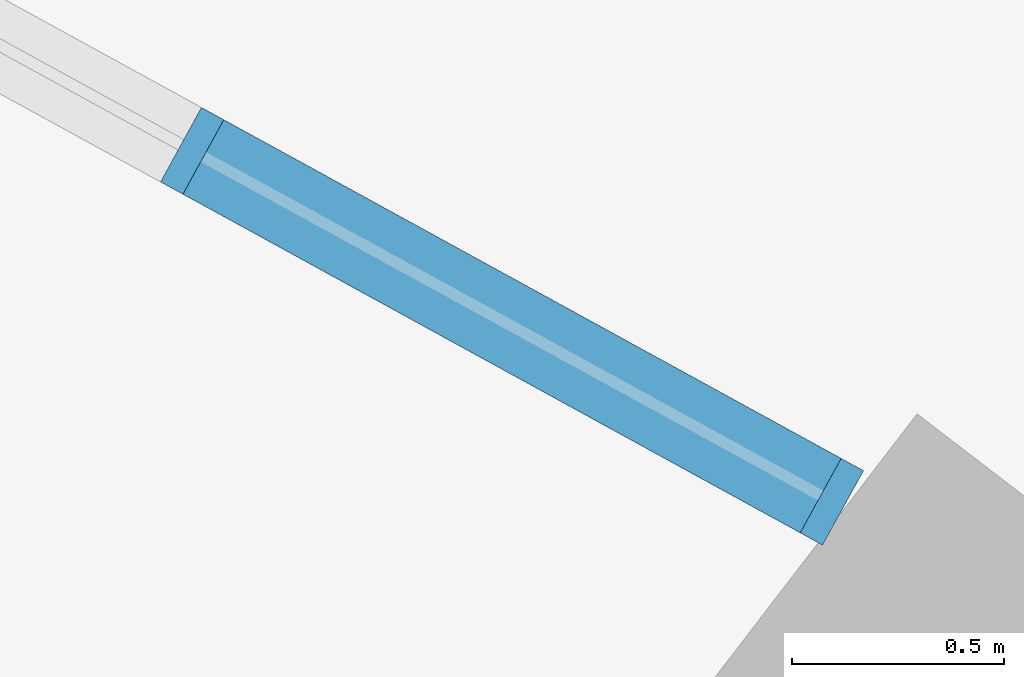
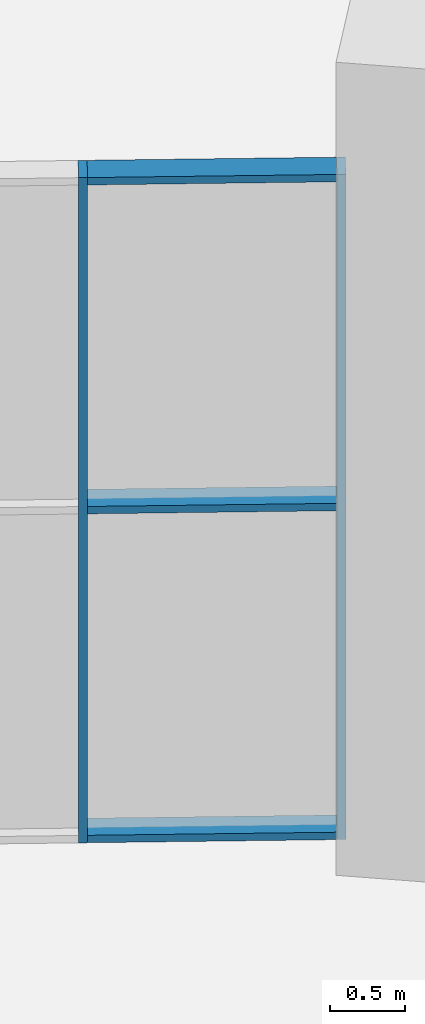
# One storey, part 17 of 44: 5 members, 1 element without a shape of its own.
"""IFC4 building model written with IfcOpenShell, lengths in metres."""

import ifcopenshell
import ifcopenshell.guid

model = None  # the IFC model being written
_history = None  # IfcOwnerHistory: only IFC2X3 demands one
_inside = {}  # id of a spatial element -> (the spatial element, [elements in it])
_under = {}  # id of a project, library or spatial element -> (it, [spatial elements below it])
_declared = {}  # id of a project -> (the project, [libraries it declares])
_typed = {}  # id of a type object -> (the type object, [elements of that type])
_made_of = {}  # id of a material, layer set ... -> (it, [elements and type objects made of it])


def new_model(schema):
    """Start an empty IFC model of exactly this schema.

    Asked for "IFC4X3", IfcOpenShell would pick the latest addendum, in which some entities
    have other attributes; the version numbers below select the first issue.
    IFC2X3 requires an IfcOwnerHistory on every rooted entity: one is made here for all.
    """
    global model, _history
    if schema == "IFC4X3":
        model = ifcopenshell.file(schema_version=(4, 3, 0, 0))
    else:
        model = ifcopenshell.file(schema=schema)
    _inside.clear()
    _under.clear()
    _declared.clear()
    _typed.clear()
    _made_of.clear()
    _history = None
    if model.schema == "IFC2X3":
        org = make("IfcOrganization", Name="unknown")
        user = make(
            "IfcPersonAndOrganization",
            ThePerson=make("IfcPerson", FamilyName="unknown"),
            TheOrganization=org,
        )
        app = make(
            "IfcApplication",
            ApplicationDeveloper=org,
            Version="unknown",
            ApplicationFullName="unknown",
            ApplicationIdentifier="unknown",
        )
        _history = make(
            "IfcOwnerHistory",
            OwningUser=user,
            OwningApplication=app,
            ChangeAction="ADDED",
            CreationDate=0,
        )
    return model


def make(cls, **values):
    """One entity of the class cls with the attributes given. An attribute that is None is left unset."""
    return model.create_entity(
        cls, **{name: value for name, value in values.items() if value is not None}
    )


def rooted(cls, **values):
    """An entity with a GlobalId (a new one), such as an element, a storey or a relation."""
    return make(cls, GlobalId=ifcopenshell.guid.new(), OwnerHistory=_history, **values)


def si_unit(unit_type, name, prefix=None):
    """IfcSIUnit, for example si_unit("LENGTHUNIT", "METRE", prefix="MILLI")."""
    return make("IfcSIUnit", UnitType=unit_type, Prefix=prefix, Name=name)


def assignment(units):
    """IfcUnitAssignment: the units of a project."""
    return None if units is None else make("IfcUnitAssignment", Units=units)


def point(xyz):
    """IfcCartesianPoint."""
    return None if xyz is None else make("IfcCartesianPoint", Coordinates=xyz)


def direction(xyz):
    """IfcDirection."""
    return None if xyz is None else make("IfcDirection", DirectionRatios=xyz)


def frame(location, z_axis=None, x_axis=None):
    """IfcAxis2Placement3D, a coordinate frame: its origin and axes. An axis left out is left unset."""
    return make(
        "IfcAxis2Placement3D",
        Location=point(location),
        Axis=direction(z_axis),
        RefDirection=direction(x_axis),
    )


def frame_2d(location, x_axis=None):
    """IfcAxis2Placement2D, a coordinate frame in the plane: its origin and x axis."""
    return make(
        "IfcAxis2Placement2D", Location=point(location), RefDirection=direction(x_axis)
    )


def origin():
    """The frame at (0, 0, 0) with its axes left unset."""
    return frame((0.0, 0.0, 0.0))


def origin_2d():
    """The frame at (0, 0) in the plane with its x axis left unset."""
    return frame_2d((0.0, 0.0))


def place(relative_to, where):
    """IfcLocalPlacement: puts the frame where relative to a parent placement (None: the world)."""
    return make(
        "IfcLocalPlacement", PlacementRelTo=relative_to, RelativePlacement=where
    )


def context(
    kind, dimensions, precision=None, world=None, true_north=None, identifier=None
):
    """IfcGeometricRepresentationContext, for example the 3D "Model" context."""
    return make(
        "IfcGeometricRepresentationContext",
        ContextIdentifier=identifier,
        ContextType=kind,
        CoordinateSpaceDimension=dimensions,
        Precision=precision,
        WorldCoordinateSystem=world,
        TrueNorth=true_north,
    )


def subcontext(parent, identifier, kind, view, scale=None):
    """IfcGeometricRepresentationSubContext, for example "Body" below "Model"."""
    return make(
        "IfcGeometricRepresentationSubContext",
        ContextIdentifier=identifier,
        ContextType=kind,
        ParentContext=parent,
        TargetScale=scale,
        TargetView=view,
    )


def project(units=None, contexts=None):
    """IfcProject with its units and contexts."""
    return rooted(
        "IfcProject",
        Name="project",
        RepresentationContexts=contexts,
        UnitsInContext=assignment(units),
    )


def spatial(cls, under=None, at=None, **own):
    """A site, building, storey or space (cls), placed at a placement, below another one or the project."""
    s = rooted(cls, ObjectPlacement=at, **own)
    if under is not None:
        _under.setdefault(under.id(), (under, []))[1].append(s)
    return s


def profile(cls, at=None, kind="AREA", **sizes):
    """A parametric profile (cls). Its sizes go by their IFC names, for example OverallWidth=200.0."""
    return make(cls, ProfileType=kind, Position=at, **sizes)


def rectangle(**sizes):
    """IfcRectangleProfileDef."""
    return profile("IfcRectangleProfileDef", **sizes)


def extrude(swept, where, along, depth):
    """IfcExtrudedAreaSolid: the profile swept, set in the frame where, extruded along a direction by depth."""
    return make(
        "IfcExtrudedAreaSolid",
        SweptArea=swept,
        Position=where,
        ExtrudedDirection=direction(along),
        Depth=depth,
    )


def shape(context_of_items, identifier, shape_type, items):
    """IfcShapeRepresentation: the items that make up one representation, for example the "Body"."""
    return make(
        "IfcShapeRepresentation",
        ContextOfItems=context_of_items,
        RepresentationIdentifier=identifier,
        RepresentationType=shape_type,
        Items=items,
    )


def material(Name=None, Category=None):
    """IfcMaterial."""
    return make("IfcMaterial", Name=Name, Category=Category)


def layer(
    of_material, thickness, ventilated=None, Name=None, Category=None, Priority=None
):
    """IfcMaterialLayer: one layer of a wall or slab, of a material (None: an air gap)."""
    return make(
        "IfcMaterialLayer",
        Material=of_material,
        LayerThickness=thickness,
        IsVentilated=ventilated,
        Name=Name,
        Category=Category,
        Priority=Priority,
    )


def layer_set(layers, Name=None):
    """IfcMaterialLayerSet."""
    return make("IfcMaterialLayerSet", MaterialLayers=layers, LayerSetName=Name)


def material_profile(
    of_material, cross_section, Name=None, Category=None, Priority=None
):
    """IfcMaterialProfile: a cross section and its material."""
    return make(
        "IfcMaterialProfile",
        Name=Name,
        Material=of_material,
        Profile=cross_section,
        Priority=Priority,
        Category=Category,
    )


def profile_set(profiles, Name=None, composite=None):
    """IfcMaterialProfileSet."""
    return make(
        "IfcMaterialProfileSet",
        Name=Name,
        MaterialProfiles=profiles,
        CompositeProfile=composite,
    )


def made_of(thing, what):
    """Note that an element or type object is made of a material, layer set ...; save() writes the relation."""
    if what is not None:
        _made_of.setdefault(what.id(), (what, []))[1].append(thing)
    return thing


def type_object(cls, material=None, **own):
    """A type object (cls), such as IfcWallType, which elements share."""
    return made_of(rooted(cls, **own), material)


def element(
    cls,
    number,
    at=None,
    inside=None,
    cuts=None,
    type_object=None,
    material=None,
    context=None,
    identifier="Body",
    shape_type=None,
    held_by="IfcProductDefinitionShape",
    body=None,
    shapes=None,
    **own,
):
    """One element of the class cls, such as IfcWall. Its Tag is "e" and its number.

    at: its placement. inside: the storey or other place that contains it. cuts: it is an
    opening in that element (IfcRelVoidsElement). A single representation is given by context,
    identifier, shape_type and body (its items); several are given by shapes. held_by: the class
    of the entity that holds the representations. save() writes the other relations.
    """
    e = rooted(cls, Tag="e%d" % number, ObjectPlacement=at, **own)
    if body is not None:
        shapes = [shape(context, identifier, shape_type, body)]
    if shapes is not None:
        e.Representation = make(held_by, Representations=shapes)
    if inside is not None:
        _inside.setdefault(inside.id(), (inside, []))[1].append(e)
    if cuts is not None:
        rooted(
            "IfcRelVoidsElement", RelatingBuildingElement=cuts, RelatedOpeningElement=e
        )
    if type_object is not None:
        _typed.setdefault(type_object.id(), (type_object, []))[1].append(e)
    return made_of(e, material)


def aggregate(whole, parts):
    """IfcRelAggregates: a whole, such as a stair, and the parts it consists of."""
    return rooted("IfcRelAggregates", RelatingObject=whole, RelatedObjects=parts)


def save(model, path):
    """Write the relations noted so far, then the file.

    IfcRelAggregates (storeys below a building ...), IfcRelContainedInSpatialStructure (elements
    in a storey), IfcRelDefinesByType, IfcRelAssociatesMaterial and IfcRelDeclares: one each for
    every whole, place, type object, material and project.
    """
    for whole, parts in _under.values():
        aggregate(whole, parts)
    for where, things in _inside.values():
        rooted(
            "IfcRelContainedInSpatialStructure",
            RelatedElements=things,
            RelatingStructure=where,
        )
    for kind, things in _typed.values():
        rooted("IfcRelDefinesByType", RelatedObjects=things, RelatingType=kind)
    for what, things in _made_of.values():
        rooted("IfcRelAssociatesMaterial", RelatedObjects=things, RelatingMaterial=what)
    for by, libraries in _declared.values():
        rooted("IfcRelDeclares", RelatingContext=by, RelatedDefinitions=libraries)
    model.write(path)


model = new_model("IFC4")

# Units and contexts
model_context = context("Model", 3, precision=1e-05, world=origin(), true_north=direction((0.0, 1.0)))
body_context = subcontext(model_context, "Body", "Model", "MODEL_VIEW")
ifc_project = project(units=[si_unit("LENGTHUNIT", "METRE"), si_unit("AREAUNIT", "SQUARE_METRE"), si_unit("VOLUMEUNIT", "CUBIC_METRE"), si_unit("PLANEANGLEUNIT", "RADIAN"), si_unit("MASSUNIT", "GRAM", prefix="KILO")], contexts=[model_context])

# Site, building, storey
site_placement = place(None, origin())
site = spatial("IfcSite", under=ifc_project, at=site_placement, CompositionType="ELEMENT")
building_placement = place(site_placement, origin())
building = spatial("IfcBuilding", under=site, at=building_placement, Name="Nakaniwa Court", CompositionType="ELEMENT")
storey_placement = place(building_placement, origin())
storey = spatial("IfcBuildingStorey", under=building, at=storey_placement, Name="L00", CompositionType="ELEMENT", Elevation=0.0)

# Curtain wall, members
ifc_material_1 = material(Name="Black anodised aluminium frame with dark low-E laminated double glazing", Category="aluminium")
ifc_layer = layer(ifc_material_1, 0.199951171875)
ifc_layer_set = layer_set([ifc_layer], Name="Black anodised aluminium frame with dark low-E laminated double glazing")
curtain_wall_type = type_object("IfcCurtainWallType", Name="Concourse stick curtain wall", PredefinedType="NOTDEFINED", material=ifc_layer_set)
curtain_wall_placement = place(storey_placement, origin())
curtain_wall = element("IfcCurtainWall", 1, at=curtain_wall_placement, inside=storey, type_object=curtain_wall_type, Name="L00 curtain wall CW2 44", PredefinedType="NOTDEFINED")
ifc_material_2 = material(Name="Black anodised aluminium extrusion", Category="aluminium")
ifc_material_profile_1 = material_profile(ifc_material_2, rectangle(XDim=0.199951171875, YDim=0.06005859375, at=origin_2d()), Name="Concourse stick curtain wall mullion 60x200")
ifc_profile_set_1 = profile_set([ifc_material_profile_1], Name="Black anodised aluminium extrusion")
member_type_1 = type_object("IfcMemberType", Name="Concourse stick curtain wall mullion 60x200", PredefinedType="MULLION", material=ifc_profile_set_1)
member_1_placement = place(storey_placement, frame((99.38623046875, 110.7734375, 0.0), z_axis=(0.0, 0.0, 1.0), x_axis=(-0.480878713587, -0.876787125144, 0.0)))
member_1 = element("IfcMember", 2, at=member_1_placement, type_object=member_type_1, Name="CW2 mullion 1", PredefinedType="MULLION", context=body_context, shape_type="SweptSolid", body=[
    extrude(rectangle(XDim=0.199951171875, YDim=0.06005859375, at=origin_2d()), origin(), (0.0, 0.0, 1.0), 5.39990234375),
])
member_2_placement = place(storey_placement, frame((97.879638671875, 111.599853515625, 0.0), z_axis=(0.0, 0.0, 1.0), x_axis=(-0.480878713587, -0.876787125144, 0.0)))
member_2 = element("IfcMember", 3, at=member_2_placement, type_object=member_type_1, Name="CW2 mullion 2", PredefinedType="MULLION", context=body_context, shape_type="SweptSolid", body=[
    extrude(rectangle(XDim=0.199951171875, YDim=0.06005859375, at=origin_2d()), origin(), (0.0, 0.0, 1.0), 5.39990234375),
])
ifc_material_profile_2 = material_profile(ifc_material_2, rectangle(XDim=0.199951171875, YDim=0.06005859375, at=origin_2d()), Name="Concourse stick curtain wall transom 60x200")
ifc_profile_set_2 = profile_set([ifc_material_profile_2], Name="Black anodised aluminium extrusion")
member_type_2 = type_object("IfcMemberType", Name="Concourse stick curtain wall transom 60x200", PredefinedType="USERDEFINED", material=ifc_profile_set_2)
member_3_placement = place(storey_placement, frame((99.360107421875, 110.787841796875, 0.030029296875), z_axis=(-0.876762353686, 0.480923876678, 0.0), x_axis=(-0.480923876678, -0.876762353686, 0.0)))
member_3 = element("IfcMember", 4, at=member_3_placement, type_object=member_type_2, Name="CW2 transom 1.1", ObjectType="TRANSOM", PredefinedType="USERDEFINED", context=body_context, shape_type="SweptSolid", body=[
    extrude(rectangle(XDim=0.199951171875, YDim=0.06005859375, at=origin_2d()), origin(), (0.0, 0.0, 1.0), 1.658447265625),
])
member_4_placement = place(storey_placement, frame((99.360107421875, 110.787841796875, 2.699951171875), z_axis=(-0.876762353686, 0.480923876678, 0.0), x_axis=(-0.480923876678, -0.876762353686, 0.0)))
member_4 = element("IfcMember", 5, at=member_4_placement, type_object=member_type_2, Name="CW2 transom 1.2", ObjectType="TRANSOM", PredefinedType="USERDEFINED", context=body_context, shape_type="SweptSolid", body=[
    extrude(rectangle(XDim=0.199951171875, YDim=0.06005859375, at=origin_2d()), origin(), (0.0, 0.0, 1.0), 1.658447265625),
])
member_5_placement = place(storey_placement, frame((99.360107421875, 110.787841796875, 5.3701171875), z_axis=(-0.876762353686, 0.480923876678, 0.0), x_axis=(-0.480923876678, -0.876762353686, 0.0)))
member_5 = element("IfcMember", 6, at=member_5_placement, type_object=member_type_2, Name="CW2 transom 1.3", ObjectType="TRANSOM", PredefinedType="USERDEFINED", context=body_context, shape_type="SweptSolid", body=[
    extrude(rectangle(XDim=0.199951171875, YDim=0.06005859375, at=origin_2d()), origin(), (0.0, 0.0, 1.0), 1.658447265625),
])
aggregate(curtain_wall, [member_1, member_2, member_3, member_4, member_5])

save(model, "model.ifc")
